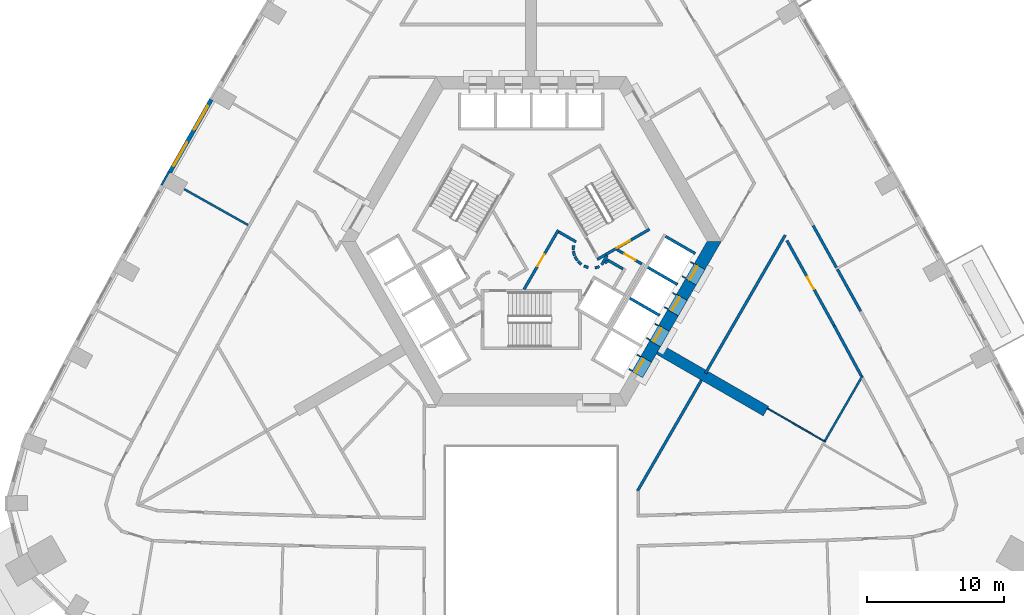
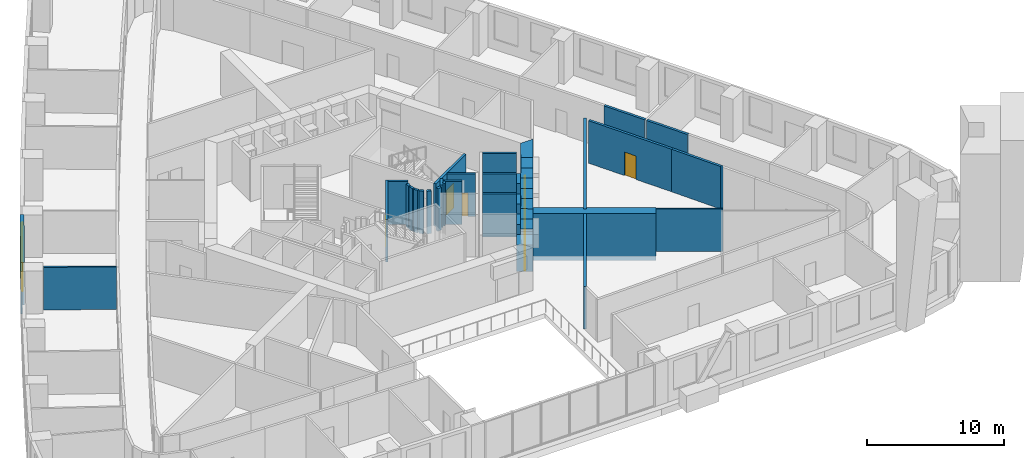
# One storey, part 7 of 15: 40 walls, 8 doors, 2 windows, 10 openings.
"""IFC4 building model written with IfcOpenShell, lengths in metres."""

from ifc_helpers import new_model, si_unit, direction, frame, frame_2d, origin, place, context, subcontext, project, spatial, polyline, rectangle, outline, extrude, material, layer, layer_set, type_object, element, fill, save


model = new_model("IFC4")

# Units and contexts
model_context = context("Model", 3, precision=1e-05, world=origin(), true_north=direction((0.0, 1.0)))
body_context = subcontext(model_context, "Body", "Model", "MODEL_VIEW")
ifc_project = project(units=[si_unit("LENGTHUNIT", "METRE"), si_unit("AREAUNIT", "SQUARE_METRE"), si_unit("VOLUMEUNIT", "CUBIC_METRE"), si_unit("PLANEANGLEUNIT", "RADIAN"), si_unit("MASSUNIT", "GRAM", prefix="KILO")], contexts=[model_context])

# Site, building, storey
site_placement = place(None, origin())
site = spatial("IfcSite", under=ifc_project, at=site_placement, CompositionType="ELEMENT")
building_placement = place(site_placement, origin())
building = spatial("IfcBuilding", under=site, at=building_placement, Name="Entoto Arch Interchange Tower", CompositionType="ELEMENT")
storey_placement = place(building_placement, frame((0.0, 0.0, 99.199951171875)))
storey = spatial("IfcBuildingStorey", under=building, at=storey_placement, Name="L21", CompositionType="ELEMENT", Elevation=99.199951171875)

# Walls
ifc_material_1 = material(Name="Concrete C60/75", Category="concrete")
ifc_layer_1 = layer(ifc_material_1, 0.800048828125)
ifc_layer_set_1 = layer_set([ifc_layer_1], Name="Concrete C60/75")
wall_type_1 = type_object("IfcWallType", Name="Buttress wall 800 C60/75", PredefinedType="SHEAR", material=ifc_layer_set_1)
wall_1_placement = place(storey_placement, frame((9.31005859375, -5.375, -0.39990234375), z_axis=(0.0, 0.0, 1.0), x_axis=(0.866017533419, -0.500013631625, 0.0)))
element("IfcWall", 1, at=wall_1_placement, inside=storey, type_object=wall_type_1, Name="Buttress wall SE L21", PredefinedType="SHEAR", context=body_context, shape_type="SweptSolid", body=[
    extrude(rectangle(XDim=8.999755859375, YDim=0.800048828125, at=frame_2d((4.5, 0.0))), origin(), (0.0, 0.0, 1.0), 4.199951171875),
])
ifc_layer_2 = layer(ifc_material_1, 0.89990234375)
ifc_layer_set_2 = layer_set([ifc_layer_2], Name="Concrete C60/75")
wall_type_2 = type_object("IfcWallType", Name="Core wall 900 C60/75", PredefinedType="SHEAR", material=ifc_layer_set_2)
wall_2_placement = place(storey_placement, frame((0.0, 0.0, -0.39990234375)))
element("IfcWall", 2, at=wall_2_placement, inside=storey, type_object=wall_type_2, Name="Core wall SE L21", PredefinedType="SHEAR", context=body_context, shape_type="SweptSolid", body=[
    extrude(outline(polyline([(9.4169921875, -5.18896484375), (8.637939453125, -4.739013671875), (7.988037109375, -5.864013671875), (8.76708984375, -6.31396484375), (9.4169921875, -5.18896484375)])), origin(), (0.0, 0.0, 1.0), 4.199951171875),
])
wall_3_placement = place(storey_placement, frame((0.0, 0.0, -0.39990234375)))
element("IfcWall", 3, at=wall_3_placement, inside=storey, type_object=wall_type_2, Name="Core wall SE L21", PredefinedType="SHEAR", context=body_context, shape_type="SweptSolid", body=[
    extrude(outline(polyline([(10.717041015625, -2.93701171875), (9.93798828125, -2.487060546875), (9.2880859375, -3.613037109375), (10.06689453125, -4.06298828125), (10.717041015625, -2.93701171875)])), origin(), (0.0, 0.0, 1.0), 4.199951171875),
])
wall_4_placement = place(storey_placement, frame((0.0, 0.0, -0.39990234375)))
element("IfcWall", 4, at=wall_4_placement, inside=storey, type_object=wall_type_2, Name="Core wall SE L21", PredefinedType="SHEAR", context=body_context, shape_type="SweptSolid", body=[
    extrude(outline(polyline([(12.01708984375, -0.68603515625), (11.238037109375, -0.236083984375), (10.587890625, -1.361083984375), (11.366943359375, -1.81103515625), (12.01708984375, -0.68603515625)])), origin(), (0.0, 0.0, 1.0), 4.199951171875),
])
wall_5_placement = place(storey_placement, frame((0.0, 0.0, -0.39990234375)))
element("IfcWall", 5, at=wall_5_placement, inside=storey, type_object=wall_type_2, Name="Core wall SE L21", PredefinedType="SHEAR", context=body_context, shape_type="SweptSolid", body=[
    extrude(outline(polyline([(11.887939453125, 0.889892578125), (12.6669921875, 0.43994140625), (13.85595703125, 2.5), (12.81689453125, 2.5), (11.887939453125, 0.889892578125)])), origin(), (0.0, 0.0, 1.0), 4.199951171875),
])
wall_6_placement = place(storey_placement, frame((0.0, 0.0, 3.60009765625)))
element("IfcWall", 6, at=wall_6_placement, inside=storey, type_object=wall_type_2, Name="Core wall lintel SE L21", PredefinedType="SHEAR", context=body_context, shape_type="SweptSolid", body=[
    extrude(outline(polyline([(8.76708984375, -6.31396484375), (7.988037109375, -5.864013671875), (7.337890625, -6.989990234375), (8.116943359375, -7.43994140625), (8.76708984375, -6.31396484375)])), origin(), (0.0, 0.0, 1.0), 0.199951171875),
])
wall_7_placement = place(storey_placement, frame((0.0, 0.0, 3.60009765625)))
element("IfcWall", 7, at=wall_7_placement, inside=storey, type_object=wall_type_2, Name="Core wall lintel SE L21", PredefinedType="SHEAR", context=body_context, shape_type="SweptSolid", body=[
    extrude(outline(polyline([(10.06689453125, -4.06298828125), (9.2880859375, -3.613037109375), (8.637939453125, -4.739013671875), (9.4169921875, -5.18896484375), (10.06689453125, -4.06298828125)])), origin(), (0.0, 0.0, 1.0), 0.199951171875),
])
wall_8_placement = place(storey_placement, frame((0.0, 0.0, 3.60009765625)))
element("IfcWall", 8, at=wall_8_placement, inside=storey, type_object=wall_type_2, Name="Core wall lintel SE L21", PredefinedType="SHEAR", context=body_context, shape_type="SweptSolid", body=[
    extrude(outline(polyline([(11.366943359375, -1.81103515625), (10.587890625, -1.361083984375), (9.93798828125, -2.487060546875), (10.717041015625, -2.93701171875), (11.366943359375, -1.81103515625)])), origin(), (0.0, 0.0, 1.0), 0.199951171875),
])
wall_9_placement = place(storey_placement, frame((0.0, 0.0, 3.60009765625)))
element("IfcWall", 9, at=wall_9_placement, inside=storey, type_object=wall_type_2, Name="Core wall lintel SE L21", PredefinedType="SHEAR", context=body_context, shape_type="SweptSolid", body=[
    extrude(outline(polyline([(12.6669921875, 0.43994140625), (11.887939453125, 0.889892578125), (11.238037109375, -0.236083984375), (12.01708984375, -0.68603515625), (12.6669921875, 0.43994140625)])), origin(), (0.0, 0.0, 1.0), 0.199951171875),
])

# Wall, opening, door
ifc_material_2 = material(Name="Concrete C40/50", Category="concrete")
ifc_layer_3 = layer(ifc_material_2, 1.199951171875)
ifc_layer_set_3 = layer_set([ifc_layer_3], Name="Concrete C40/50")
wall_type_3 = type_object("IfcWallType", Name="LIFT LANDING INFILL WALL", PredefinedType="STANDARD", material=ifc_layer_set_3)
wall_10_placement = place(storey_placement, frame((7.597900390625, -7.139892578125, 0.0), z_axis=(0.0, 0.0, 1.0), x_axis=(0.500362116554, 0.865816234728, 0.0)))
wall_10 = element("IfcWall", 10, at=wall_10_placement, inside=storey, type_object=wall_type_3, Name="Lift landing infill wall LR5 L21", PredefinedType="STANDARD", context=body_context, shape_type="SweptSolid", body=[
    extrude(rectangle(XDim=1.29931640625, YDim=1.199951171875, at=frame_2d((0.649658203125, 0.0))), origin(), (0.0, 0.0, 1.0), 2.400146484375),
])
opening_1_placement = place(wall_10_placement, frame((0.10009765625, 0.0, 0.0)))
opening_1 = element("IfcOpeningElement", 11, at=opening_1_placement, cuts=wall_10, Name="Opening LD-LR5-L21", PredefinedType="OPENING", context=body_context, shape_type="SweptSolid", body=[
    extrude(rectangle(XDim=1.10009765625, YDim=2.300048828125, at=frame_2d((0.550048828125, 1.14990234375))), frame((0.0, 0.60986328125, 0.0), z_axis=(0.0, -1.0, 0.0), x_axis=(1.0, 0.0, 0.0)), (0.0, 0.0, 1.0), 1.219970703125),
])
ifc_material_3 = material(Name="Stainless steel 1.4301 panels", Category="steel")
door_type_1 = type_object("IfcDoorType", Name="LIFT LANDING DOOR LD2 1100x2300", OperationType="SLIDING_TO_LEFT", PredefinedType="DOOR", material=ifc_material_3)
door_1_placement = place(opening_1_placement, origin())
door_1 = element("IfcDoor", 12, at=door_1_placement, inside=storey, type_object=door_type_1, Name="Lift landing door LR5 L21", OperationType="SLIDING_TO_LEFT", OverallHeight=2.300048828125, OverallWidth=1.10009765625, PredefinedType="DOOR", context=body_context, shape_type="SweptSolid", body=[
    extrude(rectangle(XDim=1.10009765625, YDim=2.300048828125, at=frame_2d((0.550048828125, 1.14990234375))), frame((0.0, 0.02490234375, 0.0), z_axis=(0.0, -1.0, 0.0), x_axis=(1.0, 0.0, 0.0)), (0.0, 0.0, 1.0), 0.050048828125),
])
fill(opening_1, door_1)

wall_11_placement = place(storey_placement, frame((8.89794921875, -4.888916015625, 0.0), z_axis=(0.0, 0.0, 1.0), x_axis=(0.500036693733, 0.866004217611, 0.0)))
wall_11 = element("IfcWall", 13, at=wall_11_placement, inside=storey, type_object=wall_type_3, Name="Lift landing infill wall LR6 L21", PredefinedType="STANDARD", context=body_context, shape_type="SweptSolid", body=[
    extrude(rectangle(XDim=1.30029296875, YDim=1.199951171875, at=frame_2d((0.650146484375, 0.0))), origin(), (0.0, 0.0, 1.0), 2.400146484375),
])
opening_2_placement = place(wall_11_placement, frame((0.10009765625, 0.0, 0.0)))
opening_2 = element("IfcOpeningElement", 14, at=opening_2_placement, cuts=wall_11, Name="Opening LD-LR6-L21", PredefinedType="OPENING", context=body_context, shape_type="SweptSolid", body=[
    extrude(rectangle(XDim=1.10009765625, YDim=2.300048828125, at=frame_2d((0.550048828125, 1.14990234375))), frame((0.0, 0.60986328125, 0.0), z_axis=(0.0, -1.0, 0.0), x_axis=(1.0, 0.0, 0.0)), (0.0, 0.0, 1.0), 1.219970703125),
])
door_2_placement = place(opening_2_placement, origin())
door_2 = element("IfcDoor", 15, at=door_2_placement, inside=storey, type_object=door_type_1, Name="Lift landing door LR6 L21", OperationType="SLIDING_TO_LEFT", OverallHeight=2.300048828125, OverallWidth=1.10009765625, PredefinedType="DOOR", context=body_context, shape_type="SweptSolid", body=[
    extrude(rectangle(XDim=1.10009765625, YDim=2.300048828125, at=frame_2d((0.550048828125, 1.14990234375))), frame((0.0, 0.02490234375, 0.0), z_axis=(0.0, -1.0, 0.0), x_axis=(1.0, 0.0, 0.0)), (0.0, 0.0, 1.0), 0.050048828125),
])
fill(opening_2, door_2)

wall_12_placement = place(storey_placement, frame((10.197998046875, -2.636962890625, 0.0), z_axis=(0.0, 0.0, 1.0), x_axis=(0.49989585183, 0.866085525409, 0.0)))
wall_12 = element("IfcWall", 16, at=wall_12_placement, inside=storey, type_object=wall_type_3, Name="Lift landing infill wall LR7 L21", PredefinedType="STANDARD", context=body_context, shape_type="SweptSolid", body=[
    extrude(rectangle(XDim=1.300048828125, YDim=1.199951171875, at=frame_2d((0.64990234375, 0.0))), origin(), (0.0, 0.0, 1.0), 2.400146484375),
])
opening_3_placement = place(wall_12_placement, frame((0.10009765625, 0.0, 0.0)))
opening_3 = element("IfcOpeningElement", 17, at=opening_3_placement, cuts=wall_12, Name="Opening LD-LR7-L21", PredefinedType="OPENING", context=body_context, shape_type="SweptSolid", body=[
    extrude(rectangle(XDim=1.10009765625, YDim=2.300048828125, at=frame_2d((0.550048828125, 1.14990234375))), frame((0.0, 0.60986328125, 0.0), z_axis=(0.0, -1.0, 0.0), x_axis=(1.0, 0.0, 0.0)), (0.0, 0.0, 1.0), 1.219970703125),
])
door_3_placement = place(opening_3_placement, origin())
door_3 = element("IfcDoor", 18, at=door_3_placement, inside=storey, type_object=door_type_1, Name="Lift landing door LR7 L21", OperationType="SLIDING_TO_LEFT", OverallHeight=2.300048828125, OverallWidth=1.10009765625, PredefinedType="DOOR", context=body_context, shape_type="SweptSolid", body=[
    extrude(rectangle(XDim=1.10009765625, YDim=2.300048828125, at=frame_2d((0.550048828125, 1.14990234375))), frame((0.0, 0.02490234375, 0.0), z_axis=(0.0, -1.0, 0.0), x_axis=(1.0, 0.0, 0.0)), (0.0, 0.0, 1.0), 0.050048828125),
])
fill(opening_3, door_3)

wall_13_placement = place(storey_placement, frame((11.498046875, -0.385009765625, 0.0), z_axis=(0.0, 0.0, 1.0), x_axis=(0.500221244143, 0.865897630733, 0.0)))
wall_13 = element("IfcWall", 19, at=wall_13_placement, inside=storey, type_object=wall_type_3, Name="Lift landing infill wall LR8 L21", PredefinedType="STANDARD", context=body_context, shape_type="SweptSolid", body=[
    extrude(rectangle(XDim=1.29931640625, YDim=1.199951171875, at=frame_2d((0.649658203125, 0.0))), origin(), (0.0, 0.0, 1.0), 2.400146484375),
])
opening_4_placement = place(wall_13_placement, frame((0.10009765625, 0.0, 0.0)))
opening_4 = element("IfcOpeningElement", 20, at=opening_4_placement, cuts=wall_13, Name="Opening LD-LR8-L21", PredefinedType="OPENING", context=body_context, shape_type="SweptSolid", body=[
    extrude(rectangle(XDim=1.10009765625, YDim=2.300048828125, at=frame_2d((0.550048828125, 1.14990234375))), frame((0.0, 0.60986328125, 0.0), z_axis=(0.0, -1.0, 0.0), x_axis=(1.0, 0.0, 0.0)), (0.0, 0.0, 1.0), 1.219970703125),
])
door_4_placement = place(opening_4_placement, origin())
door_4 = element("IfcDoor", 21, at=door_4_placement, inside=storey, type_object=door_type_1, Name="Lift landing door LR8 L21", OperationType="SLIDING_TO_LEFT", OverallHeight=2.300048828125, OverallWidth=1.10009765625, PredefinedType="DOOR", context=body_context, shape_type="SweptSolid", body=[
    extrude(rectangle(XDim=1.10009765625, YDim=2.300048828125, at=frame_2d((0.550048828125, 1.14990234375))), frame((0.0, 0.02490234375, 0.0), z_axis=(0.0, -1.0, 0.0), x_axis=(1.0, 0.0, 0.0)), (0.0, 0.0, 1.0), 0.050048828125),
])
fill(opening_4, door_4)

# Walls
ifc_layer_4 = layer(ifc_material_2, 0.199951171875)
ifc_layer_set_4 = layer_set([ifc_layer_4], Name="Concrete C40/50")
wall_type_4 = type_object("IfcWallType", Name="LIFT SHAFT WALL 200", PredefinedType="STANDARD", material=ifc_layer_set_4)
for number, where, z_axis, x_axis, name in (
    (22, (7.18798828125, -1.64990234375, 0.0), (0.0, 0.0, 1.0), (0.866022959057, -0.500004234368, 0.0), "Shaft wall SE3 cross 3"),
    (23, (8.488037109375, 0.60205078125, 0.0), (0.0, 0.0, 1.0), (0.866022959057, -0.500004234368, 0.0), "Shaft wall SE3 cross 4"),
):
    element("IfcWall", number, at=place(storey_placement, frame(where, z_axis=z_axis, x_axis=x_axis)), inside=storey, type_object=wall_type_4, Name=name, PredefinedType="STANDARD", context=body_context, shape_type="SweptSolid", body=[
        extrude(rectangle(XDim=2.5, YDim=0.199951171875, at=frame_2d((1.25, 0.0))), origin(), (0.0, 0.0, 1.0), 3.800048828125),
    ])
wall_14_placement = place(storey_placement, frame((9.7880859375, 2.85302734375, 0.0), z_axis=(0.0, 0.0, 1.0), x_axis=(0.865998541277, -0.500046524342, 0.0)))
element("IfcWall", 24, at=wall_14_placement, inside=storey, type_object=wall_type_4, Name="Shaft wall SE3 cross 5", PredefinedType="STANDARD", context=body_context, shape_type="SweptSolid", body=[
    extrude(rectangle(XDim=2.499755859375, YDim=0.199951171875, at=frame_2d((1.25, 0.0))), origin(), (0.0, 0.0, 1.0), 3.800048828125),
])
ifc_material_4 = material(Name="Gypsum board partition on steel studs", Category="steel")
ifc_layer_5 = layer(ifc_material_4, 0.10009765625)
ifc_layer_set_5 = layer_set([ifc_layer_5], Name="Gypsum board partition on steel studs")
wall_type_5 = type_object("IfcWallType", Name="PARTITION 100", PredefinedType="PARTITIONING", material=ifc_layer_set_5)
wall_15_placement = place(storey_placement, frame((17.218994140625, -9.676025390625, 0.0), z_axis=(0.0, 0.0, 1.0), x_axis=(0.86598459596, -0.500070674565, 0.0)))
element("IfcWall", 25, at=wall_15_placement, inside=storey, type_object=wall_type_5, Name="wall:L21:p123", PredefinedType="PARTITIONING", context=body_context, shape_type="SweptSolid", body=[
    extrude(rectangle(XDim=4.875244140625, YDim=0.10009765625, at=frame_2d((2.4375, 0.0))), origin(), (0.0, 0.0, 1.0), 3.800048828125),
])
ifc_layer_6 = layer(ifc_material_4, 0.14990234375)
ifc_layer_set_6 = layer_set([ifc_layer_6], Name="Gypsum board partition on steel studs")
wall_type_6 = type_object("IfcWallType", Name="PARTITION 150", PredefinedType="PARTITIONING", material=ifc_layer_set_6)
wall_16_placement = place(storey_placement, frame((24.136962890625, -7.2939453125, 0.0), z_axis=(0.0, 0.0, 1.0), x_axis=(-0.500001804394, -0.866024362014, 0.0)))
element("IfcWall", 26, at=wall_16_placement, inside=storey, type_object=wall_type_6, Name="wall:L21:p125", PredefinedType="PARTITIONING", context=body_context, shape_type="SweptSolid", body=[
    extrude(rectangle(XDim=5.47216796875, YDim=0.14990234375, at=frame_2d((2.736083984375, 0.0))), origin(), (0.0, 0.0, 1.0), 3.800048828125),
])
wall_17_placement = place(storey_placement, frame((-20.631103515625, 3.68505859375, 0.0), z_axis=(0.0, 0.0, 1.0), x_axis=(-0.871680720442, 0.490074200106, 0.0)))
element("IfcWall", 27, at=wall_17_placement, inside=storey, type_object=wall_type_6, Name="wall:L21:p149", PredefinedType="PARTITIONING", context=body_context, shape_type="SweptSolid", body=[
    extrude(rectangle(XDim=5.329833984375, YDim=0.14990234375, at=frame_2d((2.6650390625, 0.0))), origin(), (0.0, 0.0, 1.0), 3.800048828125),
])
ifc_layer_7 = layer(ifc_material_4, 0.199951171875)
ifc_layer_set_7 = layer_set([ifc_layer_7], Name="Gypsum board partition on steel studs")
wall_type_7 = type_object("IfcWallType", Name="PARTITION 200", PredefinedType="PARTITIONING", material=ifc_layer_set_7)
wall_18_placement = place(storey_placement, frame((24.051025390625, -7.31494140625, 0.0), z_axis=(0.0, 0.0, 1.0), x_axis=(-0.475308630647, 0.87981913234, 0.0)))
element("IfcWall", 28, at=wall_18_placement, inside=storey, type_object=wall_type_7, Name="wall:L21:p019", PredefinedType="PARTITIONING", context=body_context, shape_type="SweptSolid", body=[
    extrude(rectangle(XDim=4.165771484375, YDim=0.199951171875, at=frame_2d((2.0830078125, 0.0))), origin(), (0.0, 0.0, 1.0), 3.800048828125),
])

# Wall, opening, door
wall_19_placement = place(storey_placement, frame((22.071044921875, -3.64990234375, 0.0), z_axis=(0.0, 0.0, 1.0), x_axis=(-0.485198988697, 0.874403763354, 0.0)))
wall_19 = element("IfcWall", 29, at=wall_19_placement, inside=storey, type_object=wall_type_7, Name="wall:L21:p020", PredefinedType="PARTITIONING", context=body_context, shape_type="SweptSolid", body=[
    extrude(rectangle(XDim=7.098388671875, YDim=0.199951171875, at=frame_2d((3.54931640625, 0.0))), origin(), (0.0, 0.0, 1.0), 3.800048828125),
])
opening_5_placement = place(wall_19_placement, frame((3.049072265625, 0.0, 0.0)))
opening_5 = element("IfcOpeningElement", 30, at=opening_5_placement, cuts=wall_19, Name="Opening L21-D22", PredefinedType="OPENING", context=body_context, shape_type="SweptSolid", body=[
    extrude(rectangle(XDim=1.0, YDim=2.10009765625, at=frame_2d((0.5, 1.050048828125))), frame((0.0, 0.10986328125, 0.0), z_axis=(0.0, -1.0, 0.0), x_axis=(1.0, 0.0, 0.0)), (0.0, 0.0, 1.0), 0.219970703125),
])
ifc_material_5 = material(Name="Timber door leaf in Steel S235 frame", Category="steel")
door_type_2 = type_object("IfcDoorType", Name="DOOR DS-10 1000x2100", OperationType="SINGLE_SWING_LEFT", PredefinedType="DOOR", material=ifc_material_5)
door_5_placement = place(opening_5_placement, origin())
door_5 = element("IfcDoor", 31, at=door_5_placement, inside=storey, type_object=door_type_2, Name="door:L21:22", OperationType="SINGLE_SWING_RIGHT", OverallHeight=2.10009765625, OverallWidth=1.0, PredefinedType="DOOR", context=body_context, shape_type="SweptSolid", body=[
    extrude(rectangle(XDim=1.0, YDim=2.10009765625, at=frame_2d((0.5, 1.050048828125))), frame((0.0, 0.02490234375, 0.0), z_axis=(0.0, -1.0, 0.0), x_axis=(1.0, 0.0, 0.0)), (0.0, 0.0, 1.0), 0.050048828125),
])
fill(opening_5, door_5)

# Walls
wall_20_placement = place(storey_placement, frame((22.30908203125, 0.4560546875, 0.0), z_axis=(0.0, 0.0, 1.0), x_axis=(0.484982854201, -0.87452365956, 0.0)))
element("IfcWall", 32, at=wall_20_placement, inside=storey, type_object=wall_type_7, Name="wall:L21:p050", PredefinedType="PARTITIONING", context=body_context, shape_type="SweptSolid", body=[
    extrude(rectangle(XDim=3.486572265625, YDim=0.199951171875, at=frame_2d((1.7431640625, 0.0))), origin(), (0.0, 0.0, 1.0), 3.800048828125),
])
wall_21_placement = place(storey_placement, frame((20.5439453125, 3.635986328125, 0.0), z_axis=(0.0, 0.0, 1.0), x_axis=(0.485250552989, -0.874375148792, 0.0)))
element("IfcWall", 33, at=wall_21_placement, inside=storey, type_object=wall_type_7, Name="wall:L21:p053", PredefinedType="PARTITIONING", context=body_context, shape_type="SweptSolid", body=[
    extrude(rectangle(XDim=3.487060546875, YDim=0.199951171875, at=frame_2d((1.74365234375, 0.0))), origin(), (0.0, 0.0, 1.0), 3.800048828125),
])
wall_22_placement = place(storey_placement, frame((5.389892578125, 0.89794921875, 0.0), z_axis=(0.0, 0.0, 1.0), x_axis=(0.673828488714, 0.738887791073, 0.0)))
element("IfcWall", 34, at=wall_22_placement, inside=storey, type_object=wall_type_7, Name="wall:L21:p084", PredefinedType="PARTITIONING", context=body_context, shape_type="SweptSolid", body=[
    extrude(rectangle(XDim=0.2626953125, YDim=0.199951171875, at=frame_2d((0.13134765625, 0.0))), origin(), (0.0, 0.0, 1.0), 3.800048828125),
])
wall_23_placement = place(storey_placement, frame((5.4990234375, 1.172119140625, 0.0), z_axis=(0.0, 0.0, 1.0), x_axis=(0.866333505267, -0.499465972466, 0.0)))
element("IfcWall", 35, at=wall_23_placement, inside=storey, type_object=wall_type_7, Name="wall:L21:p085", PredefinedType="PARTITIONING", context=body_context, shape_type="SweptSolid", body=[
    extrude(rectangle(XDim=1.37353515625, YDim=0.199951171875, at=frame_2d((0.686767578125, 0.0))), origin(), (0.0, 0.0, 1.0), 3.800048828125),
])

# Wall, opening, door
wall_24_placement = place(storey_placement, frame((6.25, 1.89404296875, 0.0), z_axis=(0.0, 0.0, 1.0), x_axis=(0.866043184279, -0.499969202016, 0.0)))
wall_24 = element("IfcWall", 36, at=wall_24_placement, inside=storey, type_object=wall_type_7, Name="wall:L21:p087", PredefinedType="PARTITIONING", context=body_context, shape_type="SweptSolid", body=[
    extrude(rectangle(XDim=2.084228515625, YDim=0.199951171875, at=frame_2d((1.0419921875, 0.0))), origin(), (0.0, 0.0, 1.0), 3.800048828125),
])
opening_6_placement = place(wall_24_placement, frame((0.64208984375, 0.0, 0.0)))
opening_6 = element("IfcOpeningElement", 37, at=opening_6_placement, cuts=wall_24, Name="Opening L21-D38", PredefinedType="OPENING", context=body_context, shape_type="SweptSolid", body=[
    extrude(rectangle(XDim=0.89990234375, YDim=2.10009765625, at=frame_2d((0.449951171875, 1.050048828125))), frame((0.0, 0.10986328125, 0.0), z_axis=(0.0, -1.0, 0.0), x_axis=(1.0, 0.0, 0.0)), (0.0, 0.0, 1.0), 0.219970703125),
])
door_type_3 = type_object("IfcDoorType", Name="DOOR DS-09 900x2100", OperationType="SINGLE_SWING_LEFT", PredefinedType="DOOR", material=ifc_material_5)
door_6_placement = place(opening_6_placement, origin())
door_6 = element("IfcDoor", 38, at=door_6_placement, inside=storey, type_object=door_type_3, Name="door:L21:38", OperationType="SINGLE_SWING_LEFT", OverallHeight=2.10009765625, OverallWidth=0.89990234375, PredefinedType="DOOR", context=body_context, shape_type="SweptSolid", body=[
    extrude(rectangle(XDim=0.89990234375, YDim=2.10009765625, at=frame_2d((0.449951171875, 1.050048828125))), frame((0.0, 0.02490234375, 0.0), z_axis=(0.0, -1.0, 0.0), x_axis=(1.0, 0.0, 0.0)), (0.0, 0.0, 1.0), 0.050048828125),
])
fill(opening_6, door_6)

# Wall
wall_25_placement = place(storey_placement, frame((5.135009765625, 0.79296875, 0.0), z_axis=(0.0, 0.0, 1.0), x_axis=(0.499526442893, 0.866298639529, 0.0)))
element("IfcWall", 39, at=wall_25_placement, inside=storey, type_object=wall_type_7, Name="wall:L21:p089", PredefinedType="PARTITIONING", context=body_context, shape_type="SweptSolid", body=[
    extrude(rectangle(XDim=0.790771484375, YDim=0.199951171875, at=frame_2d((0.3955078125, 0.0))), origin(), (0.0, 0.0, 1.0), 3.800048828125),
])

# Wall, opening, door
wall_26_placement = place(storey_placement, frame((-0.52001953125, -1.0, 0.0), z_axis=(0.0, 0.0, 1.0), x_axis=(0.50011622646, 0.865958290007, 0.0)))
wall_26 = element("IfcWall", 40, at=wall_26_placement, inside=storey, type_object=wall_type_7, Name="wall:L21:p099", PredefinedType="PARTITIONING", context=body_context, shape_type="SweptSolid", body=[
    extrude(rectangle(XDim=4.990966796875, YDim=0.199951171875, at=frame_2d((2.49560546875, 0.0))), origin(), (0.0, 0.0, 1.0), 3.800048828125),
])
opening_7_placement = place(wall_26_placement, frame((1.945068359375, 0.0, 0.0)))
opening_7 = element("IfcOpeningElement", 41, at=opening_7_placement, cuts=wall_26, Name="Opening L21-D36", PredefinedType="OPENING", context=body_context, shape_type="SweptSolid", body=[
    extrude(rectangle(XDim=1.0, YDim=2.10009765625, at=frame_2d((0.5, 1.050048828125))), frame((0.0, 0.10986328125, 0.0), z_axis=(0.0, -1.0, 0.0), x_axis=(1.0, 0.0, 0.0)), (0.0, 0.0, 1.0), 0.219970703125),
])
ifc_material_6 = material(Name="Fire-rated Steel S235 door and frame", Category="steel")
door_type_4 = type_object("IfcDoorType", Name="DOOR FD-10 1000x2100", OperationType="SINGLE_SWING_LEFT", PredefinedType="DOOR", material=ifc_material_6)
door_7_placement = place(opening_7_placement, origin())
door_7 = element("IfcDoor", 42, at=door_7_placement, inside=storey, type_object=door_type_4, Name="door:L21:36", OperationType="SINGLE_SWING_LEFT", OverallHeight=2.10009765625, OverallWidth=1.0, PredefinedType="DOOR", context=body_context, shape_type="SweptSolid", body=[
    extrude(rectangle(XDim=1.0, YDim=2.10009765625, at=frame_2d((0.5, 1.050048828125))), frame((0.0, 0.02490234375, 0.0), z_axis=(0.0, -1.0, 0.0), x_axis=(1.0, 0.0, 0.0)), (0.0, 0.0, 1.0), 0.050048828125),
])
fill(opening_7, door_7)

# Walls
wall_27_placement = place(storey_placement, frame((2.011962890625, 3.18603515625, 0.0), z_axis=(0.0, 0.0, 1.0), x_axis=(0.865891012941, -0.500232699559, 0.0)))
element("IfcWall", 43, at=wall_27_placement, inside=storey, type_object=wall_type_7, Name="wall:L21:p100", PredefinedType="PARTITIONING", context=body_context, shape_type="SweptSolid", body=[
    extrude(rectangle(XDim=1.449462890625, YDim=0.199951171875, at=frame_2d((0.724609375, 0.0))), origin(), (0.0, 0.0, 1.0), 3.800048828125),
])
wall_28_placement = place(storey_placement, frame((3.0791015625, 2.198974609375, 0.0), z_axis=(0.0, 0.0, 1.0), x_axis=(-0.047771483479, -0.998858290933, 0.0)))
element("IfcWall", 44, at=wall_28_placement, inside=storey, type_object=wall_type_7, Name="wall:L21:p101", PredefinedType="PARTITIONING", context=body_context, shape_type="SweptSolid", body=[
    extrude(rectangle(XDim=0.33740234375, YDim=0.199951171875, at=frame_2d((0.168701171875, 0.0))), origin(), (0.0, 0.0, 1.0), 3.800048828125),
])
wall_29_placement = place(storey_placement, frame((3.070068359375, 1.785888671875, 0.0), z_axis=(0.0, 0.0, 1.0), x_axis=(0.242705583207, -0.970099994784, 0.0)))
element("IfcWall", 45, at=wall_29_placement, inside=storey, type_object=wall_type_7, Name="wall:L21:p102", PredefinedType="PARTITIONING", context=body_context, shape_type="SweptSolid", body=[
    extrude(rectangle(XDim=0.337890625, YDim=0.199951171875, at=frame_2d((0.1689453125, 0.0))), origin(), (0.0, 0.0, 1.0), 3.800048828125),
])
for number, where, z_axis, x_axis, name in (
    (46, (3.181884765625, 1.387939453125, 0.0), (0.0, 0.0, 1.0), (0.512474702713, -0.85870232274, 0.0), "wall:L21:p103"),
    (47, (3.404052734375, 1.0390625, 0.0), (0.0, 0.0, 1.0), (0.740267097712, -0.672312891476, 0.0), "wall:L21:p104"),
):
    element("IfcWall", number, at=place(storey_placement, frame(where, z_axis=z_axis, x_axis=x_axis)), inside=storey, type_object=wall_type_7, Name=name, PredefinedType="PARTITIONING", context=body_context, shape_type="SweptSolid", body=[
        extrude(rectangle(XDim=0.337646484375, YDim=0.199951171875, at=frame_2d((0.1689453125, 0.0))), origin(), (0.0, 0.0, 1.0), 3.800048828125),
    ])
wall_30_placement = place(storey_placement, frame((3.837890625, 0.701904296875, 0.0), z_axis=(0.0, 0.0, 1.0), x_axis=(0.941035081519, -0.338308993895, 0.0)))
element("IfcWall", 48, at=wall_30_placement, inside=storey, type_object=wall_type_7, Name="wall:L21:p105", PredefinedType="PARTITIONING", context=body_context, shape_type="SweptSolid", body=[
    extrude(rectangle(XDim=0.3369140625, YDim=0.199951171875, at=frame_2d((0.16845703125, 0.0))), origin(), (0.0, 0.0, 1.0), 3.800048828125),
])
wall_31_placement = place(storey_placement, frame((4.64404296875, 0.56396484375, 0.0), z_axis=(0.0, 0.0, 1.0), x_axis=(0.969929076366, 0.243387729394, 0.0)))
element("IfcWall", 49, at=wall_31_placement, inside=storey, type_object=wall_type_7, Name="wall:L21:p106", PredefinedType="PARTITIONING", context=body_context, shape_type="SweptSolid", body=[
    extrude(rectangle(XDim=0.337158203125, YDim=0.199951171875, at=frame_2d((0.16845703125, 0.0))), origin(), (0.0, 0.0, 1.0), 3.800048828125),
])
wall_32_placement = place(storey_placement, frame((12.40087890625, -7.62109375, 0.0), z_axis=(0.0, 0.0, 1.0), x_axis=(-0.499983724212, -0.866034800411, 0.0)))
element("IfcWall", 50, at=wall_32_placement, inside=storey, type_object=wall_type_7, Name="wall:L21:p121", PredefinedType="PARTITIONING", context=body_context, shape_type="SweptSolid", body=[
    extrude(rectangle(XDim=9.302001953125, YDim=0.199951171875, at=frame_2d((4.65087890625, 0.0))), origin(), (0.0, 0.0, 1.0), 3.800048828125),
])
wall_33_placement = place(storey_placement, frame((18.5029296875, 2.948974609375, 0.0), z_axis=(0.0, 0.0, 1.0), x_axis=(-0.49997390151, -0.86604047123, 0.0)))
element("IfcWall", 51, at=wall_33_placement, inside=storey, type_object=wall_type_7, Name="wall:L21:p122", PredefinedType="PARTITIONING", context=body_context, shape_type="SweptSolid", body=[
    extrude(rectangle(XDim=11.62646484375, YDim=0.199951171875, at=frame_2d((5.813232421875, 0.0))), origin(), (0.0, 0.0, 1.0), 3.800048828125),
])

# Wall, opening, door
ifc_layer_8 = layer(ifc_material_2, 0.199951171875)
ifc_layer_set_8 = layer_set([ifc_layer_8], Name="Concrete C40/50")
wall_type_8 = type_object("IfcWallType", Name="STAIR ENCLOSURE WALL 200", PredefinedType="STANDARD", material=ifc_layer_set_8)
wall_34_placement = place(storey_placement, frame((4.805908203125, 1.176025390625, 0.0), z_axis=(0.0, 0.0, 1.0), x_axis=(0.866059941101, 0.499940174841, 0.0)))
wall_34 = element("IfcWall", 52, at=wall_34_placement, inside=storey, type_object=wall_type_8, Name="Stair wall ST-NE near", PredefinedType="STANDARD", context=body_context, shape_type="SweptSolid", body=[
    extrude(rectangle(XDim=4.400390625, YDim=0.199951171875, at=frame_2d((2.2001953125, 0.0))), origin(), (0.0, 0.0, 1.0), 3.800048828125),
])
opening_8_placement = place(wall_34_placement, frame((1.64990234375, 0.0, 0.0)))
opening_8 = element("IfcOpeningElement", 53, at=opening_8_placement, cuts=wall_34, Name="Opening SD-ST-NE-L21-E", PredefinedType="OPENING", context=body_context, shape_type="SweptSolid", body=[
    extrude(rectangle(XDim=1.10009765625, YDim=2.199951171875, at=frame_2d((0.550048828125, 1.10009765625))), frame((0.0, 0.10986328125, 0.0), z_axis=(0.0, -1.0, 0.0), x_axis=(1.0, 0.0, 0.0)), (0.0, 0.0, 1.0), 0.219970703125),
])
ifc_material_7 = material(Name="Steel S235", Category="steel")
door_type_5 = type_object("IfcDoorType", Name="STAIR DOOR SD1 1100x2200", OperationType="SINGLE_SWING_LEFT", PredefinedType="DOOR", material=ifc_material_7)
door_8_placement = place(opening_8_placement, origin())
door_8 = element("IfcDoor", 54, at=door_8_placement, inside=storey, type_object=door_type_5, Name="Stair door ST-NE L21 end", OperationType="SINGLE_SWING_LEFT", OverallHeight=2.199951171875, OverallWidth=1.10009765625, PredefinedType="DOOR", context=body_context, shape_type="SweptSolid", body=[
    extrude(rectangle(XDim=1.10009765625, YDim=2.199951171875, at=frame_2d((0.550048828125, 1.10009765625))), frame((0.0, 0.02490234375, 0.0), z_axis=(0.0, -1.0, 0.0), x_axis=(1.0, 0.0, 0.0)), (0.0, 0.0, 1.0), 0.050048828125),
])
fill(opening_8, door_8)

# Wall, openings, windows
ifc_material_8 = material(Name="Welded tuff (ignimbrite) cladding, warm buff", Category="masonry")
ifc_layer_9 = layer(ifc_material_8, 0.300048828125)
ifc_layer_set_9 = layer_set([ifc_layer_9], Name="Welded tuff (ignimbrite) cladding, warm buff")
wall_type_9 = type_object("IfcWallType", Name="STONE INFILL WALL 300", PredefinedType="STANDARD", material=ifc_layer_set_9)
wall_35_placement = place(storey_placement, frame((-23.30810546875, 12.822998046875, 0.0), z_axis=(0.0, 0.0, 1.0), x_axis=(-0.495113375427, -0.868828375154, 0.0)))
wall_35 = element("IfcWall", 55, at=wall_35_placement, inside=storey, type_object=wall_type_9, Name="Facade wall NW-05 L21", PredefinedType="STANDARD", context=body_context, shape_type="SweptSolid", body=[
    extrude(rectangle(XDim=6.103515625, YDim=0.300048828125, at=frame_2d((3.0517578125, 0.0))), origin(), (0.0, 0.0, 1.0), 3.800048828125),
])
opening_9_placement = place(wall_35_placement, frame((0.52587890625, 0.0, 0.89990234375)))
opening_9 = element("IfcOpeningElement", 56, at=opening_9_placement, cuts=wall_35, Name="Opening WO-C", PredefinedType="OPENING", context=body_context, shape_type="SweptSolid", body=[
    extrude(rectangle(XDim=2.0, YDim=2.60009765625, at=frame_2d((1.0, 1.300048828125))), frame((0.0, 0.16015625, 0.0), z_axis=(0.0, -1.0, 0.0), x_axis=(1.0, 0.0, 0.0)), (0.0, 0.0, 1.0), 0.320068359375),
])
opening_10_placement = place(wall_35_placement, frame((3.577880859375, 0.0, 0.89990234375)))
opening_10 = element("IfcOpeningElement", 57, at=opening_10_placement, cuts=wall_35, Name="Opening WO-C", PredefinedType="OPENING", context=body_context, shape_type="SweptSolid", body=[
    extrude(rectangle(XDim=2.0, YDim=2.60009765625, at=frame_2d((1.0, 1.300048828125))), frame((0.0, 0.16015625, 0.0), z_axis=(0.0, -1.0, 0.0), x_axis=(1.0, 0.0, 0.0)), (0.0, 0.0, 1.0), 0.320068359375),
])
ifc_material_9 = material(Name="Clear glass, low-e double glazed", Category="glass")
window_type = type_object("IfcWindowType", Name="WINDOW WO-C 2000x2600", PartitioningType="DOUBLE_PANEL_VERTICAL", PredefinedType="WINDOW", material=ifc_material_9)
window_1_placement = place(opening_9_placement, origin())
window_1 = element("IfcWindow", 58, at=window_1_placement, inside=storey, type_object=window_type, Name="Window WO-C NW-05 L21", OverallHeight=2.60009765625, OverallWidth=2.0, PartitioningType="SINGLE_PANEL", PredefinedType="WINDOW", context=body_context, shape_type="SweptSolid", body=[
    extrude(rectangle(XDim=2.0, YDim=2.60009765625, at=frame_2d((1.0, 1.300048828125))), frame((0.0, 0.030029296875, 0.0), z_axis=(0.0, -1.0, 0.0), x_axis=(1.0, 0.0, 0.0)), (0.0, 0.0, 1.0), 0.06005859375),
])
fill(opening_9, window_1)
window_2_placement = place(opening_10_placement, origin())
window_2 = element("IfcWindow", 59, at=window_2_placement, inside=storey, type_object=window_type, Name="Window WO-C NW-05 L21", OverallHeight=2.60009765625, OverallWidth=2.0, PartitioningType="SINGLE_PANEL", PredefinedType="WINDOW", context=body_context, shape_type="SweptSolid", body=[
    extrude(rectangle(XDim=2.0, YDim=2.60009765625, at=frame_2d((1.0, 1.300048828125))), frame((0.0, 0.030029296875, 0.0), z_axis=(0.0, -1.0, 0.0), x_axis=(1.0, 0.0, 0.0)), (0.0, 0.0, 1.0), 0.06005859375),
])
fill(opening_10, window_2)

# Wall
ifc_layer_10 = layer(ifc_material_8, 0.14990234375)
ifc_layer_set_10 = layer_set([ifc_layer_10], Name="Welded tuff (ignimbrite) cladding, warm buff")
wall_type_10 = type_object("IfcWallType", Name="STONE PIER CLADDING 150", PredefinedType="STANDARD", material=ifc_layer_set_10)
wall_36_placement = place(storey_placement, frame((-26.39794921875, 7.55908203125, 0.0), z_axis=(0.0, 0.0, 1.0), x_axis=(-0.490008344094, -0.871717742574, 0.0)))
element("IfcWall", 60, at=wall_36_placement, inside=storey, type_object=wall_type_10, Name="Stone pier NW06 L21", PredefinedType="STANDARD", context=body_context, shape_type="SweptSolid", body=[
    extrude(rectangle(XDim=1.10009765625, YDim=0.14990234375, at=frame_2d((0.550048828125, 0.0))), origin(), (0.0, 0.0, 1.0), 3.800048828125),
])

save(model, "model.ifc")
